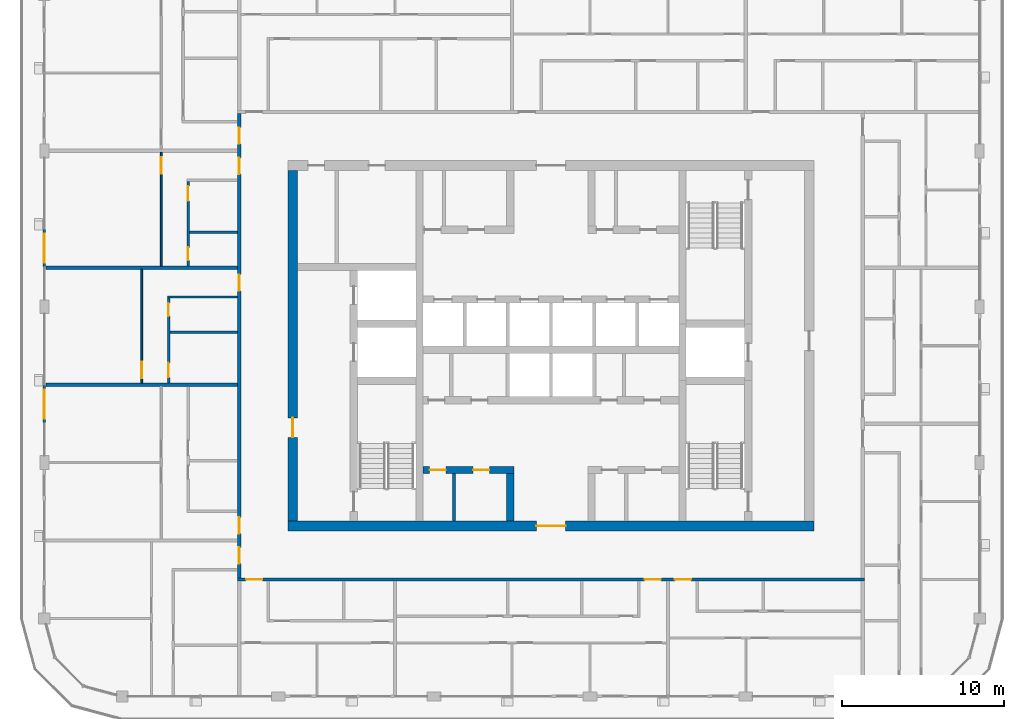
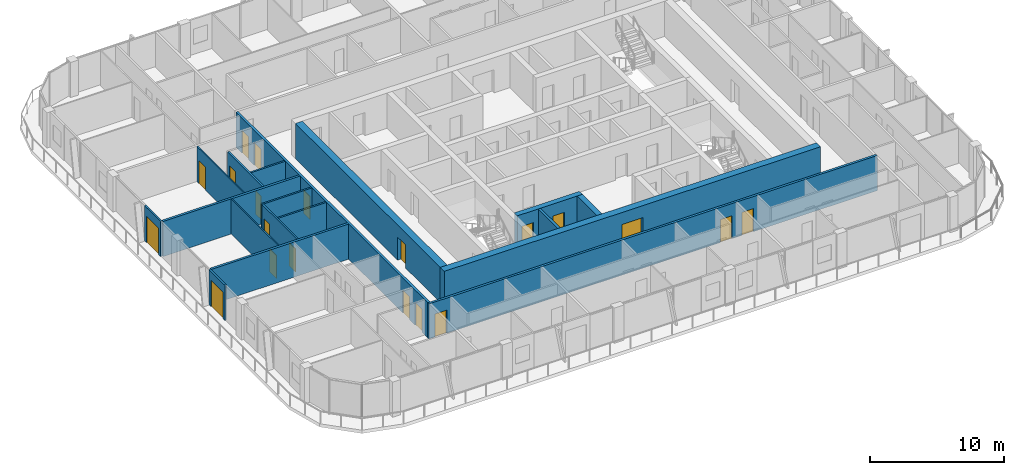
# One storey, part 10 of 22: 20 doors, 18 walls, 20 openings.
"""IFC4 building model written with IfcOpenShell, lengths in metres."""

from ifc_helpers import new_model, si_unit, direction, frame, frame_2d, origin, place, context, subcontext, project, spatial, rectangle, extrude, material, layer, layer_set, type_object, element, fill, save


model = new_model("IFC4")

# Units and contexts
model_context = context("Model", 3, precision=1e-05, world=origin(), true_north=direction((0.0, 1.0)))
body_context = subcontext(model_context, "Body", "Model", "MODEL_VIEW")
ifc_project = project(units=[si_unit("LENGTHUNIT", "METRE"), si_unit("AREAUNIT", "SQUARE_METRE"), si_unit("VOLUMEUNIT", "CUBIC_METRE"), si_unit("PLANEANGLEUNIT", "RADIAN"), si_unit("MASSUNIT", "GRAM", prefix="KILO")], contexts=[model_context])

# Site, building, storey
site_placement = place(None, origin())
site = spatial("IfcSite", under=ifc_project, at=site_placement, CompositionType="ELEMENT")
building_placement = place(site_placement, origin())
building = spatial("IfcBuilding", under=site, at=building_placement, Name="Madar Terraces", CompositionType="ELEMENT")
storey_placement = place(building_placement, frame((0.0, 0.0, 256.199951171875)))
storey = spatial("IfcBuildingStorey", under=building, at=storey_placement, Name="L67", CompositionType="ELEMENT", Elevation=256.199951171875)

# Wall, openings, doors
ifc_material_1 = material(Name="Concrete C55/67", Category="concrete")
ifc_layer_1 = layer(ifc_material_1, 0.449951171875)
ifc_layer_set_1 = layer_set([ifc_layer_1], Name="Concrete C55/67 (CIW5 RC wall 450)")
wall_type_1 = type_object("IfcWallType", Name="CIW5 RC wall 450", PredefinedType="SHEAR", material=ifc_layer_set_1)
wall_1_placement = place(storey_placement, frame((23.324951171875, 18.75, 0.0), z_axis=(0.0, 0.0, 1.0), x_axis=(1.0, 0.0, 0.0)))
wall_1 = element("IfcWall", 1, at=wall_1_placement, inside=storey, type_object=wall_type_1, Name="CORE SHAFT WALL", PredefinedType="SHEAR", context=body_context, shape_type="SweptSolid", body=[
    extrude(rectangle(XDim=5.60009765625, YDim=0.449951171875, at=frame_2d((2.800048828125, 0.0))), origin(), (0.0, 0.0, 1.0), 3.199951171875),
])
opening_1_placement = place(wall_1_placement, frame((0.40283203125, 0.0, 0.0)))
opening_1 = element("IfcOpeningElement", 2, at=opening_1_placement, cuts=wall_1, Name="Opening KD2", PredefinedType="OPENING", context=body_context, shape_type="SweptSolid", body=[
    extrude(rectangle(XDim=1.0, YDim=2.10009765625, at=frame_2d((0.5, 1.050048828125))), frame((0.0, 0.23486328125, 0.0), z_axis=(0.0, -1.0, 0.0), x_axis=(1.0, 0.0, 0.0)), (0.0, 0.0, 1.0), 0.469970703125),
])
opening_2_placement = place(wall_1_placement, frame((3.07763671875, 0.0, 0.0)))
opening_2 = element("IfcOpeningElement", 3, at=opening_2_placement, cuts=wall_1, Name="Opening KD2", PredefinedType="OPENING", context=body_context, shape_type="SweptSolid", body=[
    extrude(rectangle(XDim=1.0, YDim=2.10009765625, at=frame_2d((0.5, 1.050048828125))), frame((0.0, 0.23486328125, 0.0), z_axis=(0.0, -1.0, 0.0), x_axis=(1.0, 0.0, 0.0)), (0.0, 0.0, 1.0), 0.469970703125),
])
ifc_material_2 = material(Name="Steel door leaf", Category="steel")
door_type_1 = type_object("IfcDoorType", Name="Service room door 1000 x 2100", OperationType="NOTDEFINED", PredefinedType="DOOR", material=ifc_material_2)
door_1_placement = place(opening_1_placement, origin())
door_1 = element("IfcDoor", 4, at=door_1_placement, inside=storey, type_object=door_type_1, Name="SERVICE ROOM DOOR", OperationType="SINGLE_SWING_RIGHT", OverallHeight=2.10009765625, OverallWidth=1.0, PredefinedType="DOOR", context=body_context, shape_type="SweptSolid", body=[
    extrude(rectangle(XDim=1.0, YDim=2.10009765625, at=frame_2d((0.5, 1.050048828125))), frame((0.0, 0.02490234375, 0.0), z_axis=(0.0, -1.0, 0.0), x_axis=(1.0, 0.0, 0.0)), (0.0, 0.0, 1.0), 0.050048828125),
])
fill(opening_1, door_1)
door_2_placement = place(opening_2_placement, origin())
door_2 = element("IfcDoor", 5, at=door_2_placement, inside=storey, type_object=door_type_1, Name="SERVICE ROOM DOOR", OperationType="SINGLE_SWING_LEFT", OverallHeight=2.10009765625, OverallWidth=1.0, PredefinedType="DOOR", context=body_context, shape_type="SweptSolid", body=[
    extrude(rectangle(XDim=1.0, YDim=2.10009765625, at=frame_2d((0.5, 1.050048828125))), frame((0.0, 0.02490234375, 0.0), z_axis=(0.0, -1.0, 0.0), x_axis=(1.0, 0.0, 0.0)), (0.0, 0.0, 1.0), 0.050048828125),
])
fill(opening_2, door_2)

# Wall
wall_2_placement = place(storey_placement, frame((28.699951171875, 15.60009765625, 0.0), z_axis=(0.0, 0.0, 1.0), x_axis=(0.0, 1.0, 0.0)))
element("IfcWall", 6, at=wall_2_placement, inside=storey, type_object=wall_type_1, Name="CORE SHAFT WALL", PredefinedType="SHEAR", context=body_context, shape_type="SweptSolid", body=[
    extrude(rectangle(XDim=2.9248046875, YDim=0.449951171875, at=frame_2d((1.46240234375, 0.0))), origin(), (0.0, 0.0, 1.0), 3.199951171875),
])

# Wall, opening, door
ifc_material_3 = material(Name="Concrete C55/67", Category="concrete")
ifc_layer_2 = layer(ifc_material_3, 0.60009765625)
ifc_layer_set_2 = layer_set([ifc_layer_2], Name="Concrete C55/67 (CRW5 RC wall 600)")
wall_type_2 = type_object("IfcWallType", Name="CRW5 RC wall 600", PredefinedType="SHEAR", material=ifc_layer_set_2)
wall_3_placement = place(storey_placement, frame((15.0, 15.300048828125, 0.0), z_axis=(0.0, 0.0, 1.0), x_axis=(1.0, 0.0, 0.0)))
wall_3 = element("IfcWall", 7, at=wall_3_placement, inside=storey, type_object=wall_type_2, Name="CORE OUTER WALL", PredefinedType="SHEAR", context=body_context, shape_type="SweptSolid", body=[
    extrude(rectangle(XDim=32.39990234375, YDim=0.60009765625, at=frame_2d((16.199951171875, 0.0))), origin(), (0.0, 0.0, 1.0), 3.199951171875),
])
opening_3_placement = place(wall_3_placement, frame((15.300048828125, 0.0, 0.0)))
opening_3 = element("IfcOpeningElement", 8, at=opening_3_placement, cuts=wall_3, Name="Opening KD1", PredefinedType="OPENING", context=body_context, shape_type="SweptSolid", body=[
    extrude(rectangle(XDim=1.800048828125, YDim=2.10009765625, at=frame_2d((0.89990234375, 1.050048828125))), frame((0.0, 0.31005859375, 0.0), z_axis=(0.0, -1.0, 0.0), x_axis=(1.0, 0.0, 0.0)), (0.0, 0.0, 1.0), 0.6201171875),
])
ifc_material_4 = material(Name="Steel door leaf", Category="steel")
door_type_2 = type_object("IfcDoorType", Name="Lobby door pair 1800 x 2100", OperationType="DOUBLE_DOOR_SINGLE_SWING", PredefinedType="DOOR", material=ifc_material_4)
door_3_placement = place(opening_3_placement, frame((1.800048828125, 0.0, 0.0), z_axis=(0.0, 0.0, 1.0), x_axis=(-1.0, 0.0, 0.0)))
door_3 = element("IfcDoor", 9, at=door_3_placement, inside=storey, type_object=door_type_2, Name="LIFT LOBBY DOOR", OperationType="DOUBLE_DOOR_SINGLE_SWING", OverallHeight=2.10009765625, OverallWidth=1.800048828125, PredefinedType="DOOR", context=body_context, shape_type="SweptSolid", body=[
    extrude(rectangle(XDim=1.800048828125, YDim=2.10009765625, at=frame_2d((0.89990234375, 1.050048828125))), frame((0.0, 0.02490234375, 0.0), z_axis=(0.0, -1.0, 0.0), x_axis=(1.0, 0.0, 0.0)), (0.0, 0.0, 1.0), 0.050048828125),
])
fill(opening_3, door_3)

wall_4_placement = place(storey_placement, frame((15.300048828125, 15.60009765625, 0.0), z_axis=(0.0, 0.0, 1.0), x_axis=(0.0, 1.0, 0.0)))
wall_4 = element("IfcWall", 10, at=wall_4_placement, inside=storey, type_object=wall_type_2, Name="CORE OUTER WALL", PredefinedType="SHEAR", context=body_context, shape_type="SweptSolid", body=[
    extrude(rectangle(XDim=21.599853515625, YDim=0.60009765625, at=frame_2d((10.7998046875, 0.0))), origin(), (0.0, 0.0, 1.0), 3.199951171875),
])
opening_4_placement = place(wall_4_placement, frame((5.159912109375, 0.0, 0.0)))
opening_4 = element("IfcOpeningElement", 11, at=opening_4_placement, cuts=wall_4, Name="Opening SD1", PredefinedType="OPENING", context=body_context, shape_type="SweptSolid", body=[
    extrude(rectangle(XDim=1.199951171875, YDim=2.10009765625, at=frame_2d((0.60009765625, 1.050048828125))), frame((0.0, 0.31005859375, 0.0), z_axis=(0.0, -1.0, 0.0), x_axis=(1.0, 0.0, 0.0)), (0.0, 0.0, 1.0), 0.6201171875),
])
ifc_material_5 = material(Name="Steel door leaf", Category="steel")
door_type_3 = type_object("IfcDoorType", Name="Stair door 1200 x 2100", OperationType="NOTDEFINED", PredefinedType="DOOR", material=ifc_material_5)
door_4_placement = place(opening_4_placement, frame((1.199951171875, 0.0, 0.0), z_axis=(0.0, 0.0, 1.0), x_axis=(-1.0, 0.0, 0.0)))
door_4 = element("IfcDoor", 12, at=door_4_placement, inside=storey, type_object=door_type_3, Name="STAIR DOOR", OperationType="SINGLE_SWING_RIGHT", OverallHeight=2.10009765625, OverallWidth=1.199951171875, PredefinedType="DOOR", context=body_context, shape_type="SweptSolid", body=[
    extrude(rectangle(XDim=1.199951171875, YDim=2.10009765625, at=frame_2d((0.60009765625, 1.050048828125))), frame((0.0, 0.02490234375, 0.0), z_axis=(0.0, -1.0, 0.0), x_axis=(1.0, 0.0, 0.0)), (0.0, 0.0, 1.0), 0.050048828125),
])
fill(opening_4, door_4)

# Wall
ifc_material_6 = material(Name="Masonry blockwork", Category="masonry")
ifc_layer_3 = layer(ifc_material_6, 0.199951171875)
ifc_layer_set_3 = layer_set([ifc_layer_3], Name="Core partition 200 blockwork")
wall_type_3 = type_object("IfcWallType", Name="Core partition 200 blockwork", PredefinedType="PARTITIONING", material=ifc_layer_set_3)
wall_5_placement = place(storey_placement, frame((25.23046875, 15.60009765625, 0.0), z_axis=(0.0, 0.0, 1.0), x_axis=(0.0, 1.0, 0.0)))
element("IfcWall", 13, at=wall_5_placement, inside=storey, type_object=wall_type_3, Name="SERVICE ROOM PARTITION", PredefinedType="PARTITIONING", context=body_context, shape_type="SweptSolid", body=[
    extrude(rectangle(XDim=2.9248046875, YDim=0.199951171875, at=frame_2d((1.46240234375, 0.0))), origin(), (0.0, 0.0, 1.0), 3.199951171875),
])

# Wall, opening, door
ifc_material_7 = material(Name="Aluminium composite panel, black, over insulated backing", Category="aluminium")
ifc_layer_4 = layer(ifc_material_7, 0.14990234375)
ifc_layer_set_4 = layer_set([ifc_layer_4], Name="Facade bay panel 150")
wall_type_4 = type_object("IfcWallType", Name="Facade bay panel 150", PredefinedType="SOLIDWALL", material=ifc_layer_set_4)
wall_6_placement = place(storey_placement, frame((0.0, 33.60009765625, 0.0), z_axis=(0.0, 0.0, 1.0), x_axis=(0.0, -1.0, 0.0)))
wall_6 = element("IfcWall", 14, at=wall_6_placement, inside=storey, type_object=wall_type_4, Name="Facade bay panel", PredefinedType="SOLIDWALL", context=body_context, shape_type="SweptSolid", body=[
    extrude(rectangle(XDim=2.400146484375, YDim=0.14990234375, at=frame_2d((1.2001953125, 0.0))), origin(), (0.0, 0.0, 1.0), 3.199951171875),
])
opening_5_placement = place(wall_6_placement, frame((0.300048828125, 0.0, 0.0)))
opening_5 = element("IfcOpeningElement", 15, at=opening_5_placement, cuts=wall_6, Name="Opening ED1", PredefinedType="OPENING", context=body_context, shape_type="SweptSolid", body=[
    extrude(rectangle(XDim=1.800048828125, YDim=2.39990234375, at=frame_2d((0.89990234375, 1.199951171875))), frame((0.0, 0.0849609375, 0.0), z_axis=(0.0, -1.0, 0.0), x_axis=(1.0, 0.0, 0.0)), (0.0, 0.0, 1.0), 0.169921875),
])
ifc_material_8 = material(Name="Glass, clear, with black aluminium frame", Category="aluminium")
door_type_4 = type_object("IfcDoorType", Name="Balcony and terrace sliding door 1800 x 2400", OperationType="SLIDING_TO_LEFT", PredefinedType="DOOR", material=ifc_material_8)
door_5_placement = place(opening_5_placement, origin())
door_5 = element("IfcDoor", 16, at=door_5_placement, inside=storey, type_object=door_type_4, Name="Balcony door", OperationType="SLIDING_TO_RIGHT", OverallHeight=2.39990234375, OverallWidth=1.800048828125, PredefinedType="DOOR", context=body_context, shape_type="SweptSolid", body=[
    extrude(rectangle(XDim=1.800048828125, YDim=2.39990234375, at=frame_2d((0.89990234375, 1.199951171875))), frame((0.0, 0.02490234375, 0.0), z_axis=(0.0, -1.0, 0.0), x_axis=(1.0, 0.0, 0.0)), (0.0, 0.0, 1.0), 0.050048828125),
])
fill(opening_5, door_5)

wall_7_placement = place(storey_placement, frame((0.0, 24.0, 0.0), z_axis=(0.0, 0.0, 1.0), x_axis=(0.0, -1.0, 0.0)))
wall_7 = element("IfcWall", 17, at=wall_7_placement, inside=storey, type_object=wall_type_4, Name="Facade bay panel", PredefinedType="SOLIDWALL", context=body_context, shape_type="SweptSolid", body=[
    extrude(rectangle(XDim=2.39990234375, YDim=0.14990234375, at=frame_2d((1.199951171875, 0.0))), origin(), (0.0, 0.0, 1.0), 3.199951171875),
])
opening_6_placement = place(wall_7_placement, frame((0.300048828125, 0.0, 0.0)))
opening_6 = element("IfcOpeningElement", 18, at=opening_6_placement, cuts=wall_7, Name="Opening ED1", PredefinedType="OPENING", context=body_context, shape_type="SweptSolid", body=[
    extrude(rectangle(XDim=1.800048828125, YDim=2.39990234375, at=frame_2d((0.89990234375, 1.199951171875))), frame((0.0, 0.0849609375, 0.0), z_axis=(0.0, -1.0, 0.0), x_axis=(1.0, 0.0, 0.0)), (0.0, 0.0, 1.0), 0.169921875),
])
door_6_placement = place(opening_6_placement, origin())
door_6 = element("IfcDoor", 19, at=door_6_placement, inside=storey, type_object=door_type_4, Name="Balcony door", OperationType="SLIDING_TO_LEFT", OverallHeight=2.39990234375, OverallWidth=1.800048828125, PredefinedType="DOOR", context=body_context, shape_type="SweptSolid", body=[
    extrude(rectangle(XDim=1.800048828125, YDim=2.39990234375, at=frame_2d((0.89990234375, 1.199951171875))), frame((0.0, 0.02490234375, 0.0), z_axis=(0.0, -1.0, 0.0), x_axis=(1.0, 0.0, 0.0)), (0.0, 0.0, 1.0), 0.050048828125),
])
fill(opening_6, door_6)

ifc_material_9 = material(Name="Gypsum board on steel studs", Category="steel")
ifc_layer_5 = layer(ifc_material_9, 0.10009765625)
ifc_layer_set_5 = layer_set([ifc_layer_5], Name="Flat partition 100")
wall_type_5 = type_object("IfcWallType", Name="Flat partition 100", PredefinedType="PARTITIONING", material=ifc_layer_set_5)
wall_8_placement = place(storey_placement, frame((7.199951171875, 31.300048828125, 0.0), z_axis=(0.0, 0.0, 1.0), x_axis=(0.0, 1.0, 0.0)))
wall_8 = element("IfcWall", 20, at=wall_8_placement, inside=storey, type_object=wall_type_5, Name="Flat partition 100", PredefinedType="PARTITIONING", context=body_context, shape_type="SweptSolid", body=[
    extrude(rectangle(XDim=7.0, YDim=0.10009765625, at=frame_2d((3.5, 0.0))), origin(), (0.0, 0.0, 1.0), 3.199951171875),
])
opening_7_placement = place(wall_8_placement, frame((5.699951171875, 0.0, 0.0)))
opening_7 = element("IfcOpeningElement", 21, at=opening_7_placement, cuts=wall_8, Name="Opening D3", PredefinedType="OPENING", context=body_context, shape_type="SweptSolid", body=[
    extrude(rectangle(XDim=1.0, YDim=2.10009765625, at=frame_2d((0.5, 1.050048828125))), frame((0.0, 0.06005859375, 0.0), z_axis=(0.0, -1.0, 0.0), x_axis=(1.0, 0.0, 0.0)), (0.0, 0.0, 1.0), 0.1201171875),
])
ifc_material_10 = material(Name="Timber door leaf", Category="wood")
door_type_5 = type_object("IfcDoorType", Name="Flat living room door 1000", OperationType="NOTDEFINED", PredefinedType="DOOR", material=ifc_material_10)
door_7_placement = place(opening_7_placement, origin())
door_7 = element("IfcDoor", 22, at=door_7_placement, inside=storey, type_object=door_type_5, Name="Flat living room door 1000", OperationType="SINGLE_SWING_RIGHT", OverallHeight=2.10009765625, OverallWidth=1.0, PredefinedType="DOOR", context=body_context, shape_type="SweptSolid", body=[
    extrude(rectangle(XDim=1.0, YDim=2.10009765625, at=frame_2d((0.5, 1.050048828125))), frame((0.0, 0.02490234375, 0.0), z_axis=(0.0, -1.0, 0.0), x_axis=(1.0, 0.0, 0.0)), (0.0, 0.0, 1.0), 0.050048828125),
])
fill(opening_7, door_7)

wall_9_placement = place(storey_placement, frame((6.0, 24.10009765625, 0.0), z_axis=(0.0, 0.0, 1.0), x_axis=(0.0, 1.0, 0.0)))
wall_9 = element("IfcWall", 23, at=wall_9_placement, inside=storey, type_object=wall_type_5, Name="Flat partition 100", PredefinedType="PARTITIONING", context=body_context, shape_type="SweptSolid", body=[
    extrude(rectangle(XDim=7.0, YDim=0.10009765625, at=frame_2d((3.5, 0.0))), origin(), (0.0, 0.0, 1.0), 3.199951171875),
])
opening_8_placement = place(wall_9_placement, frame((0.300048828125, 0.0, 0.0)))
opening_8 = element("IfcOpeningElement", 24, at=opening_8_placement, cuts=wall_9, Name="Opening D3", PredefinedType="OPENING", context=body_context, shape_type="SweptSolid", body=[
    extrude(rectangle(XDim=1.0, YDim=2.10009765625, at=frame_2d((0.5, 1.050048828125))), frame((0.0, 0.06005859375, 0.0), z_axis=(0.0, -1.0, 0.0), x_axis=(1.0, 0.0, 0.0)), (0.0, 0.0, 1.0), 0.1201171875),
])
door_8_placement = place(opening_8_placement, origin())
door_8 = element("IfcDoor", 25, at=door_8_placement, inside=storey, type_object=door_type_5, Name="Flat living room door 1000", OperationType="SINGLE_SWING_LEFT", OverallHeight=2.10009765625, OverallWidth=1.0, PredefinedType="DOOR", context=body_context, shape_type="SweptSolid", body=[
    extrude(rectangle(XDim=1.0, YDim=2.10009765625, at=frame_2d((0.5, 1.050048828125))), frame((0.0, 0.02490234375, 0.0), z_axis=(0.0, -1.0, 0.0), x_axis=(1.0, 0.0, 0.0)), (0.0, 0.0, 1.0), 0.050048828125),
])
fill(opening_8, door_8)

# Wall, openings, doors
ifc_material_11 = material(Name="Lightweight blockwork", Category="masonry")
ifc_layer_6 = layer(ifc_material_11, 0.199951171875)
ifc_layer_set_6 = layer_set([ifc_layer_6], Name="Flat party and entrance wall 200")
wall_type_6 = type_object("IfcWallType", Name="Flat party and entrance wall 200", PredefinedType="PARTITIONING", material=ifc_layer_set_6)
wall_10_placement = place(storey_placement, frame((50.5, 12.0, 0.0), z_axis=(0.0, 0.0, 1.0), x_axis=(-1.0, 0.0, 0.0)))
wall_10 = element("IfcWall", 26, at=wall_10_placement, inside=storey, type_object=wall_type_6, Name="Flat party and entrance wall 200", PredefinedType="PARTITIONING", context=body_context, shape_type="SweptSolid", body=[
    extrude(rectangle(XDim=38.60009765625, YDim=0.199951171875, at=frame_2d((19.300048828125, 0.0))), origin(), (0.0, 0.0, 1.0), 3.199951171875),
])
opening_9_placement = place(wall_10_placement, frame((37.074951171875, 0.0, 0.0)))
opening_9 = element("IfcOpeningElement", 27, at=opening_9_placement, cuts=wall_10, Name="Opening D1", PredefinedType="OPENING", context=body_context, shape_type="SweptSolid", body=[
    extrude(rectangle(XDim=1.0, YDim=2.10009765625, at=frame_2d((0.5, 1.050048828125))), frame((0.0, 0.10986328125, 0.0), z_axis=(0.0, -1.0, 0.0), x_axis=(1.0, 0.0, 0.0)), (0.0, 0.0, 1.0), 0.219970703125),
])
opening_10_placement = place(wall_10_placement, frame((12.52490234375, 0.0, 0.0)))
opening_10 = element("IfcOpeningElement", 28, at=opening_10_placement, cuts=wall_10, Name="Opening D1", PredefinedType="OPENING", context=body_context, shape_type="SweptSolid", body=[
    extrude(rectangle(XDim=1.0, YDim=2.10009765625, at=frame_2d((0.5, 1.050048828125))), frame((0.0, 0.10986328125, 0.0), z_axis=(0.0, -1.0, 0.0), x_axis=(1.0, 0.0, 0.0)), (0.0, 0.0, 1.0), 0.219970703125),
])
opening_11_placement = place(wall_10_placement, frame((10.675048828125, 0.0, 0.0)))
opening_11 = element("IfcOpeningElement", 29, at=opening_11_placement, cuts=wall_10, Name="Opening D1", PredefinedType="OPENING", context=body_context, shape_type="SweptSolid", body=[
    extrude(rectangle(XDim=1.0, YDim=2.10009765625, at=frame_2d((0.5, 1.050048828125))), frame((0.0, 0.10986328125, 0.0), z_axis=(0.0, -1.0, 0.0), x_axis=(1.0, 0.0, 0.0)), (0.0, 0.0, 1.0), 0.219970703125),
])
ifc_material_12 = material(Name="Timber fire door leaf", Category="wood")
door_type_6 = type_object("IfcDoorType", Name="Flat entrance door 1000 FD30S", OperationType="NOTDEFINED", PredefinedType="DOOR", material=ifc_material_12)
door_9_placement = place(opening_9_placement, origin())
door_9 = element("IfcDoor", 30, at=door_9_placement, inside=storey, type_object=door_type_6, Name="Flat entrance door 1000 FD30S", OperationType="SINGLE_SWING_RIGHT", OverallHeight=2.10009765625, OverallWidth=1.0, PredefinedType="DOOR", context=body_context, shape_type="SweptSolid", body=[
    extrude(rectangle(XDim=1.0, YDim=2.10009765625, at=frame_2d((0.5, 1.050048828125))), frame((0.0, 0.02490234375, 0.0), z_axis=(0.0, -1.0, 0.0), x_axis=(1.0, 0.0, 0.0)), (0.0, 0.0, 1.0), 0.050048828125),
])
fill(opening_9, door_9)
door_10_placement = place(opening_10_placement, origin())
door_10 = element("IfcDoor", 31, at=door_10_placement, inside=storey, type_object=door_type_6, Name="Flat entrance door 1000 FD30S", OperationType="SINGLE_SWING_LEFT", OverallHeight=2.10009765625, OverallWidth=1.0, PredefinedType="DOOR", context=body_context, shape_type="SweptSolid", body=[
    extrude(rectangle(XDim=1.0, YDim=2.10009765625, at=frame_2d((0.5, 1.050048828125))), frame((0.0, 0.02490234375, 0.0), z_axis=(0.0, -1.0, 0.0), x_axis=(1.0, 0.0, 0.0)), (0.0, 0.0, 1.0), 0.050048828125),
])
fill(opening_10, door_10)
door_11_placement = place(opening_11_placement, origin())
door_11 = element("IfcDoor", 32, at=door_11_placement, inside=storey, type_object=door_type_6, Name="Flat entrance door 1000 FD30S", OperationType="SINGLE_SWING_RIGHT", OverallHeight=2.10009765625, OverallWidth=1.0, PredefinedType="DOOR", context=body_context, shape_type="SweptSolid", body=[
    extrude(rectangle(XDim=1.0, YDim=2.10009765625, at=frame_2d((0.5, 1.050048828125))), frame((0.0, 0.02490234375, 0.0), z_axis=(0.0, -1.0, 0.0), x_axis=(1.0, 0.0, 0.0)), (0.0, 0.0, 1.0), 0.050048828125),
])
fill(opening_11, door_11)

wall_11_placement = place(storey_placement, frame((12.0, 12.10009765625, 0.0), z_axis=(0.0, 0.0, 1.0), x_axis=(0.0, 1.0, 0.0)))
wall_11 = element("IfcWall", 33, at=wall_11_placement, inside=storey, type_object=wall_type_6, Name="Flat party and entrance wall 200", PredefinedType="PARTITIONING", context=body_context, shape_type="SweptSolid", body=[
    extrude(rectangle(XDim=28.599853515625, YDim=0.199951171875, at=frame_2d((14.2998046875, 0.0))), origin(), (0.0, 0.0, 1.0), 3.199951171875),
])
opening_12_placement = place(wall_11_placement, frame((26.72509765625, 0.0, 0.0)))
opening_12 = element("IfcOpeningElement", 34, at=opening_12_placement, cuts=wall_11, Name="Opening D1", PredefinedType="OPENING", context=body_context, shape_type="SweptSolid", body=[
    extrude(rectangle(XDim=1.0, YDim=2.10009765625, at=frame_2d((0.5, 1.050048828125))), frame((0.0, 0.10986328125, 0.0), z_axis=(0.0, -1.0, 0.0), x_axis=(1.0, 0.0, 0.0)), (0.0, 0.0, 1.0), 0.219970703125),
])
opening_13_placement = place(wall_11_placement, frame((24.875, 0.0, 0.0)))
opening_13 = element("IfcOpeningElement", 35, at=opening_13_placement, cuts=wall_11, Name="Opening D1", PredefinedType="OPENING", context=body_context, shape_type="SweptSolid", body=[
    extrude(rectangle(XDim=1.0, YDim=2.10009765625, at=frame_2d((0.5, 1.050048828125))), frame((0.0, 0.10986328125, 0.0), z_axis=(0.0, -1.0, 0.0), x_axis=(1.0, 0.0, 0.0)), (0.0, 0.0, 1.0), 0.219970703125),
])
opening_14_placement = place(wall_11_placement, frame((17.675048828125, 0.0, 0.0)))
opening_14 = element("IfcOpeningElement", 36, at=opening_14_placement, cuts=wall_11, Name="Opening D1", PredefinedType="OPENING", context=body_context, shape_type="SweptSolid", body=[
    extrude(rectangle(XDim=1.0, YDim=2.10009765625, at=frame_2d((0.5, 1.050048828125))), frame((0.0, 0.10986328125, 0.0), z_axis=(0.0, -1.0, 0.0), x_axis=(1.0, 0.0, 0.0)), (0.0, 0.0, 1.0), 0.219970703125),
])
opening_15_placement = place(wall_11_placement, frame((2.72509765625, 0.0, 0.0)))
opening_15 = element("IfcOpeningElement", 37, at=opening_15_placement, cuts=wall_11, Name="Opening D1", PredefinedType="OPENING", context=body_context, shape_type="SweptSolid", body=[
    extrude(rectangle(XDim=1.0, YDim=2.10009765625, at=frame_2d((0.5, 1.050048828125))), frame((0.0, 0.10986328125, 0.0), z_axis=(0.0, -1.0, 0.0), x_axis=(1.0, 0.0, 0.0)), (0.0, 0.0, 1.0), 0.219970703125),
])
opening_16_placement = place(wall_11_placement, frame((0.875, 0.0, 0.0)))
opening_16 = element("IfcOpeningElement", 38, at=opening_16_placement, cuts=wall_11, Name="Opening D1", PredefinedType="OPENING", context=body_context, shape_type="SweptSolid", body=[
    extrude(rectangle(XDim=1.0, YDim=2.10009765625, at=frame_2d((0.5, 1.050048828125))), frame((0.0, 0.10986328125, 0.0), z_axis=(0.0, -1.0, 0.0), x_axis=(1.0, 0.0, 0.0)), (0.0, 0.0, 1.0), 0.219970703125),
])
door_12_placement = place(opening_12_placement, origin())
door_12 = element("IfcDoor", 39, at=door_12_placement, inside=storey, type_object=door_type_6, Name="Flat entrance door 1000 FD30S", OperationType="SINGLE_SWING_LEFT", OverallHeight=2.10009765625, OverallWidth=1.0, PredefinedType="DOOR", context=body_context, shape_type="SweptSolid", body=[
    extrude(rectangle(XDim=1.0, YDim=2.10009765625, at=frame_2d((0.5, 1.050048828125))), frame((0.0, 0.02490234375, 0.0), z_axis=(0.0, -1.0, 0.0), x_axis=(1.0, 0.0, 0.0)), (0.0, 0.0, 1.0), 0.050048828125),
])
fill(opening_12, door_12)
door_13_placement = place(opening_13_placement, origin())
door_13 = element("IfcDoor", 40, at=door_13_placement, inside=storey, type_object=door_type_6, Name="Flat entrance door 1000 FD30S", OperationType="SINGLE_SWING_RIGHT", OverallHeight=2.10009765625, OverallWidth=1.0, PredefinedType="DOOR", context=body_context, shape_type="SweptSolid", body=[
    extrude(rectangle(XDim=1.0, YDim=2.10009765625, at=frame_2d((0.5, 1.050048828125))), frame((0.0, 0.02490234375, 0.0), z_axis=(0.0, -1.0, 0.0), x_axis=(1.0, 0.0, 0.0)), (0.0, 0.0, 1.0), 0.050048828125),
])
fill(opening_13, door_13)
door_14_placement = place(opening_14_placement, origin())
door_14 = element("IfcDoor", 41, at=door_14_placement, inside=storey, type_object=door_type_6, Name="Flat entrance door 1000 FD30S", OperationType="SINGLE_SWING_RIGHT", OverallHeight=2.10009765625, OverallWidth=1.0, PredefinedType="DOOR", context=body_context, shape_type="SweptSolid", body=[
    extrude(rectangle(XDim=1.0, YDim=2.10009765625, at=frame_2d((0.5, 1.050048828125))), frame((0.0, 0.02490234375, 0.0), z_axis=(0.0, -1.0, 0.0), x_axis=(1.0, 0.0, 0.0)), (0.0, 0.0, 1.0), 0.050048828125),
])
fill(opening_14, door_14)
door_15_placement = place(opening_15_placement, origin())
door_15 = element("IfcDoor", 42, at=door_15_placement, inside=storey, type_object=door_type_6, Name="Flat entrance door 1000 FD30S", OperationType="SINGLE_SWING_LEFT", OverallHeight=2.10009765625, OverallWidth=1.0, PredefinedType="DOOR", context=body_context, shape_type="SweptSolid", body=[
    extrude(rectangle(XDim=1.0, YDim=2.10009765625, at=frame_2d((0.5, 1.050048828125))), frame((0.0, 0.02490234375, 0.0), z_axis=(0.0, -1.0, 0.0), x_axis=(1.0, 0.0, 0.0)), (0.0, 0.0, 1.0), 0.050048828125),
])
fill(opening_15, door_15)
door_16_placement = place(opening_16_placement, origin())
door_16 = element("IfcDoor", 43, at=door_16_placement, inside=storey, type_object=door_type_6, Name="Flat entrance door 1000 FD30S", OperationType="SINGLE_SWING_RIGHT", OverallHeight=2.10009765625, OverallWidth=1.0, PredefinedType="DOOR", context=body_context, shape_type="SweptSolid", body=[
    extrude(rectangle(XDim=1.0, YDim=2.10009765625, at=frame_2d((0.5, 1.050048828125))), frame((0.0, 0.02490234375, 0.0), z_axis=(0.0, -1.0, 0.0), x_axis=(1.0, 0.0, 0.0)), (0.0, 0.0, 1.0), 0.050048828125),
])
fill(opening_16, door_16)

# Walls
for number, where, z_axis, x_axis, name in (
    (44, (0.10009765625, 31.199951171875, 0.0), (0.0, 0.0, 1.0), (1.0, 0.0, 0.0), "Flat party and entrance wall 200"),
    (45, (0.10009765625, 24.0, 0.0), (0.0, 0.0, 1.0), (1.0, 0.0, 0.0), "Flat party and entrance wall 200"),
):
    element("IfcWall", number, at=place(storey_placement, frame(where, z_axis=z_axis, x_axis=x_axis)), inside=storey, type_object=wall_type_6, Name=name, PredefinedType="PARTITIONING", context=body_context, shape_type="SweptSolid", body=[
        extrude(rectangle(XDim=11.7998046875, YDim=0.199951171875, at=frame_2d((5.89990234375, 0.0))), origin(), (0.0, 0.0, 1.0), 3.199951171875),
    ])
ifc_material_13 = material(Name="Lightweight blockwork", Category="masonry")
ifc_layer_7 = layer(ifc_material_13, 0.14990234375)
ifc_layer_set_7 = layer_set([ifc_layer_7], Name="Flat wet-room partition 150")
wall_type_7 = type_object("IfcWallType", Name="Flat wet-room partition 150", PredefinedType="PARTITIONING", material=ifc_layer_set_7)
wall_12_placement = place(storey_placement, frame((11.89990234375, 33.389892578125, 0.0), z_axis=(0.0, 0.0, 1.0), x_axis=(-1.0, 0.0, 0.0)))
element("IfcWall", 46, at=wall_12_placement, inside=storey, type_object=wall_type_7, Name="Flat wet-room partition 150", PredefinedType="PARTITIONING", context=body_context, shape_type="SweptSolid", body=[
    extrude(rectangle(XDim=2.974853515625, YDim=0.14990234375, at=frame_2d((1.4873046875, 0.0))), origin(), (0.0, 0.0, 1.0), 3.199951171875),
])

# Wall, openings, doors
wall_13_placement = place(storey_placement, frame((8.85009765625, 36.52490234375, 0.0), z_axis=(0.0, 0.0, 1.0), x_axis=(0.0, -1.0, 0.0)))
wall_13 = element("IfcWall", 47, at=wall_13_placement, inside=storey, type_object=wall_type_7, Name="Flat wet-room partition 150", PredefinedType="PARTITIONING", context=body_context, shape_type="SweptSolid", body=[
    extrude(rectangle(XDim=5.224853515625, YDim=0.14990234375, at=frame_2d((2.6123046875, 0.0))), origin(), (0.0, 0.0, 1.0), 3.199951171875),
])
opening_17_placement = place(wall_13_placement, frame((0.300048828125, 0.0, 0.0)))
opening_17 = element("IfcOpeningElement", 48, at=opening_17_placement, cuts=wall_13, Name="Opening D2", PredefinedType="OPENING", context=body_context, shape_type="SweptSolid", body=[
    extrude(rectangle(XDim=0.89990234375, YDim=2.10009765625, at=frame_2d((0.449951171875, 1.050048828125))), frame((0.0, 0.0849609375, 0.0), z_axis=(0.0, -1.0, 0.0), x_axis=(1.0, 0.0, 0.0)), (0.0, 0.0, 1.0), 0.169921875),
])
opening_18_placement = place(wall_13_placement, frame((4.074951171875, 0.0, 0.0)))
opening_18 = element("IfcOpeningElement", 49, at=opening_18_placement, cuts=wall_13, Name="Opening D4", PredefinedType="OPENING", context=body_context, shape_type="SweptSolid", body=[
    extrude(rectangle(XDim=0.800048828125, YDim=2.10009765625, at=frame_2d((0.39990234375, 1.050048828125))), frame((0.0, 0.0849609375, 0.0), z_axis=(0.0, -1.0, 0.0), x_axis=(1.0, 0.0, 0.0)), (0.0, 0.0, 1.0), 0.169921875),
])
ifc_material_14 = material(Name="Timber door leaf", Category="wood")
door_type_7 = type_object("IfcDoorType", Name="Flat bathroom door 800", OperationType="NOTDEFINED", PredefinedType="DOOR", material=ifc_material_14)
door_17_placement = place(opening_18_placement, origin())
door_17 = element("IfcDoor", 50, at=door_17_placement, inside=storey, type_object=door_type_7, Name="Flat bathroom door 800", OperationType="SINGLE_SWING_RIGHT", OverallHeight=2.10009765625, OverallWidth=0.800048828125, PredefinedType="DOOR", context=body_context, shape_type="SweptSolid", body=[
    extrude(rectangle(XDim=0.800048828125, YDim=2.10009765625, at=frame_2d((0.39990234375, 1.050048828125))), frame((0.0, 0.02490234375, 0.0), z_axis=(0.0, -1.0, 0.0), x_axis=(1.0, 0.0, 0.0)), (0.0, 0.0, 1.0), 0.050048828125),
])
fill(opening_18, door_17)
ifc_material_15 = material(Name="Timber door leaf", Category="wood")
door_type_8 = type_object("IfcDoorType", Name="Flat room door 900", OperationType="NOTDEFINED", PredefinedType="DOOR", material=ifc_material_15)
door_18_placement = place(opening_17_placement, origin())
door_18 = element("IfcDoor", 51, at=door_18_placement, inside=storey, type_object=door_type_8, Name="Flat room door 900", OperationType="SINGLE_SWING_LEFT", OverallHeight=2.10009765625, OverallWidth=0.89990234375, PredefinedType="DOOR", context=body_context, shape_type="SweptSolid", body=[
    extrude(rectangle(XDim=0.89990234375, YDim=2.10009765625, at=frame_2d((0.449951171875, 1.050048828125))), frame((0.0, 0.02490234375, 0.0), z_axis=(0.0, -1.0, 0.0), x_axis=(1.0, 0.0, 0.0)), (0.0, 0.0, 1.0), 0.050048828125),
])
fill(opening_17, door_18)

# Walls
wall_14_placement = place(storey_placement, frame((11.89990234375, 27.235107421875, 0.0), z_axis=(0.0, 0.0, 1.0), x_axis=(-1.0, 0.0, 0.0)))
element("IfcWall", 52, at=wall_14_placement, inside=storey, type_object=wall_type_7, Name="Flat wet-room partition 150", PredefinedType="PARTITIONING", context=body_context, shape_type="SweptSolid", body=[
    extrude(rectangle(XDim=4.1748046875, YDim=0.14990234375, at=frame_2d((2.08740234375, 0.0))), origin(), (0.0, 0.0, 1.0), 3.199951171875),
])
wall_15_placement = place(storey_placement, frame((11.89990234375, 29.39990234375, 0.0), z_axis=(0.0, 0.0, 1.0), x_axis=(-1.0, 0.0, 0.0)))
element("IfcWall", 53, at=wall_15_placement, inside=storey, type_object=wall_type_7, Name="Flat wet-room partition 150", PredefinedType="PARTITIONING", context=body_context, shape_type="SweptSolid", body=[
    extrude(rectangle(XDim=4.324951171875, YDim=0.14990234375, at=frame_2d((2.16259765625, 0.0))), origin(), (0.0, 0.0, 1.0), 3.199951171875),
])

# Wall, openings, doors
wall_16_placement = place(storey_placement, frame((7.64990234375, 29.324951171875, 0.0), z_axis=(0.0, 0.0, 1.0), x_axis=(0.0, -1.0, 0.0)))
wall_16 = element("IfcWall", 54, at=wall_16_placement, inside=storey, type_object=wall_type_7, Name="Flat wet-room partition 150", PredefinedType="PARTITIONING", context=body_context, shape_type="SweptSolid", body=[
    extrude(rectangle(XDim=5.224853515625, YDim=0.14990234375, at=frame_2d((2.6123046875, 0.0))), origin(), (0.0, 0.0, 1.0), 3.199951171875),
])
opening_19_placement = place(wall_16_placement, frame((0.300048828125, 0.0, 0.0)))
opening_19 = element("IfcOpeningElement", 55, at=opening_19_placement, cuts=wall_16, Name="Opening D4", PredefinedType="OPENING", context=body_context, shape_type="SweptSolid", body=[
    extrude(rectangle(XDim=0.800048828125, YDim=2.10009765625, at=frame_2d((0.39990234375, 1.050048828125))), frame((0.0, 0.0849609375, 0.0), z_axis=(0.0, -1.0, 0.0), x_axis=(1.0, 0.0, 0.0)), (0.0, 0.0, 1.0), 0.169921875),
])
opening_20_placement = place(wall_16_placement, frame((3.97509765625, 0.0, 0.0)))
opening_20 = element("IfcOpeningElement", 56, at=opening_20_placement, cuts=wall_16, Name="Opening D2", PredefinedType="OPENING", context=body_context, shape_type="SweptSolid", body=[
    extrude(rectangle(XDim=0.89990234375, YDim=2.10009765625, at=frame_2d((0.449951171875, 1.050048828125))), frame((0.0, 0.0849609375, 0.0), z_axis=(0.0, -1.0, 0.0), x_axis=(1.0, 0.0, 0.0)), (0.0, 0.0, 1.0), 0.169921875),
])
door_19_placement = place(opening_19_placement, origin())
door_19 = element("IfcDoor", 57, at=door_19_placement, inside=storey, type_object=door_type_7, Name="Flat bathroom door 800", OperationType="SINGLE_SWING_LEFT", OverallHeight=2.10009765625, OverallWidth=0.800048828125, PredefinedType="DOOR", context=body_context, shape_type="SweptSolid", body=[
    extrude(rectangle(XDim=0.800048828125, YDim=2.10009765625, at=frame_2d((0.39990234375, 1.050048828125))), frame((0.0, 0.02490234375, 0.0), z_axis=(0.0, -1.0, 0.0), x_axis=(1.0, 0.0, 0.0)), (0.0, 0.0, 1.0), 0.050048828125),
])
fill(opening_19, door_19)
door_20_placement = place(opening_20_placement, origin())
door_20 = element("IfcDoor", 58, at=door_20_placement, inside=storey, type_object=door_type_8, Name="Flat room door 900", OperationType="SINGLE_SWING_RIGHT", OverallHeight=2.10009765625, OverallWidth=0.89990234375, PredefinedType="DOOR", context=body_context, shape_type="SweptSolid", body=[
    extrude(rectangle(XDim=0.89990234375, YDim=2.10009765625, at=frame_2d((0.449951171875, 1.050048828125))), frame((0.0, 0.02490234375, 0.0), z_axis=(0.0, -1.0, 0.0), x_axis=(1.0, 0.0, 0.0)), (0.0, 0.0, 1.0), 0.050048828125),
])
fill(opening_20, door_20)

save(model, "model.ifc")
